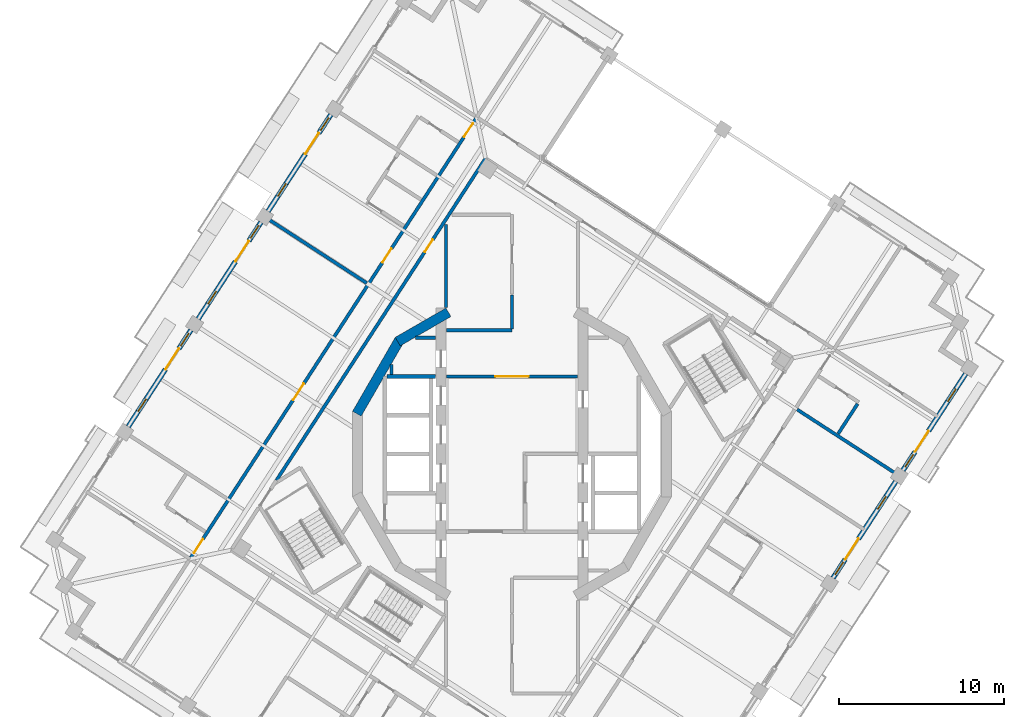
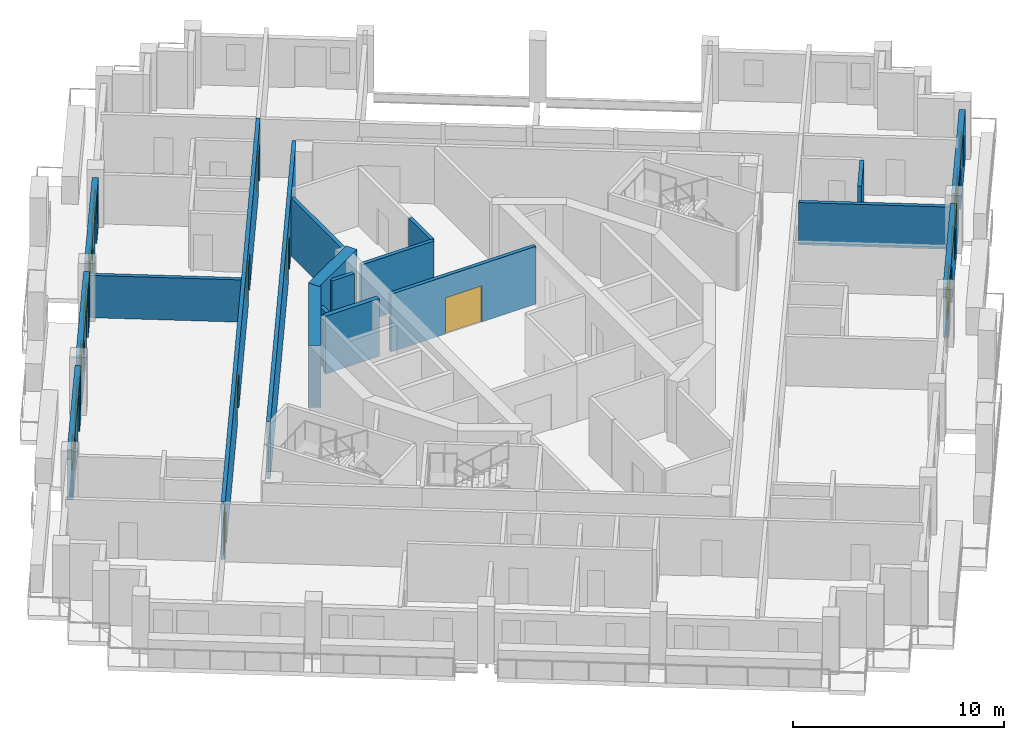
# One storey, part 9 of 17: 19 walls, 11 doors, 10 windows, 21 openings.
"""IFC4 building model written with IfcOpenShell, lengths in metres."""

from ifc_helpers import new_model, si_unit, direction, frame, frame_2d, origin, place, context, subcontext, project, spatial, rectangle, extrude, material, layer, layer_set, type_object, element, fill, save


model = new_model("IFC4")

# Units and contexts
model_context = context("Model", 3, precision=1e-05, world=origin(), true_north=direction((0.0, 1.0)))
body_context = subcontext(model_context, "Body", "Model", "MODEL_VIEW")
ifc_project = project(units=[si_unit("LENGTHUNIT", "METRE"), si_unit("AREAUNIT", "SQUARE_METRE"), si_unit("VOLUMEUNIT", "CUBIC_METRE"), si_unit("PLANEANGLEUNIT", "RADIAN"), si_unit("MASSUNIT", "GRAM", prefix="KILO")], contexts=[model_context])

# Site, building, storey
site_placement = place(None, origin())
site = spatial("IfcSite", under=ifc_project, at=site_placement, CompositionType="ELEMENT")
building_placement = place(site_placement, origin())
building = spatial("IfcBuilding", under=site, at=building_placement, Name="Cantera Rosa Tower", CompositionType="ELEMENT")
storey_placement = place(building_placement, frame((0.0, 0.0, 279.300048828125)))
storey = spatial("IfcBuildingStorey", under=building, at=storey_placement, Name="L63", CompositionType="ELEMENT", Elevation=279.300048828125)

# Wall, opening, door
ifc_material_1 = material(Name="Gypsum board partition")
ifc_layer_1 = layer(ifc_material_1, 0.199951171875)
ifc_layer_set_1 = layer_set([ifc_layer_1], Name="CORRIDOR WALL 200 H3350")
wall_type_1 = type_object("IfcWallType", Name="CORRIDOR WALL 200 H3350", PredefinedType="PARTITIONING", material=ifc_layer_set_1)
wall_1_placement = place(storey_placement, frame((-3.969970703125, 4.699951171875, 0.0), z_axis=(0.0, 0.0, 1.0), x_axis=(1.0, 0.0, 0.0)))
wall_1 = element("IfcWall", 1, at=wall_1_placement, inside=storey, type_object=wall_type_1, Name="CORRIDOR WALL L63-045", PredefinedType="PARTITIONING", context=body_context, shape_type="SweptSolid", body=[
    extrude(rectangle(XDim=7.93994140625, YDim=0.199951171875, at=frame_2d((3.969970703125, 0.0))), origin(), (0.0, 0.0, 1.0), 3.349853515625),
])
opening_1_placement = place(wall_1_placement, frame((2.969970703125, 0.0, 0.0)))
opening_1 = element("IfcOpeningElement", 2, at=opening_1_placement, cuts=wall_1, Name="Opening L63-009", PredefinedType="OPENING", context=body_context, shape_type="SweptSolid", body=[
    extrude(rectangle(XDim=2.0, YDim=2.10009765625, at=frame_2d((1.0, 1.050048828125))), frame((0.0, 0.10986328125, 0.0), z_axis=(0.0, -1.0, 0.0), x_axis=(1.0, 0.0, 0.0)), (0.0, 0.0, 1.0), 0.219970703125),
])
ifc_material_2 = material(Name="Steel S355J2 (EN 10025-2)", Category="steel")
door_type_1 = type_object("IfcDoorType", Name="LOBBY SCREEN DOOR 2000x2100", OperationType="NOTDEFINED", PredefinedType="DOOR", material=ifc_material_2)
door_1_placement = place(opening_1_placement, origin())
door_1 = element("IfcDoor", 3, at=door_1_placement, inside=storey, type_object=door_type_1, Name="DOOR L63-009", OperationType="NOTDEFINED", OverallHeight=2.10009765625, OverallWidth=2.0, PredefinedType="DOOR", context=body_context, shape_type="SweptSolid", body=[
    extrude(rectangle(XDim=2.0, YDim=2.10009765625, at=frame_2d((1.0, 1.050048828125))), frame((0.0, 0.02490234375, 0.0), z_axis=(0.0, -1.0, 0.0), x_axis=(1.0, 0.0, 0.0)), (0.0, 0.0, 1.0), 0.050048828125),
])
fill(opening_1, door_1)

# Wall
wall_2_placement = place(storey_placement, frame((-3.969970703125, 7.5, 0.0), z_axis=(0.0, 0.0, 1.0), x_axis=(1.0, 0.0, 0.0)))
element("IfcWall", 4, at=wall_2_placement, inside=storey, type_object=wall_type_1, Name="CORRIDOR WALL L63-046", PredefinedType="PARTITIONING", context=body_context, shape_type="SweptSolid", body=[
    extrude(rectangle(XDim=3.969970703125, YDim=0.199951171875, at=frame_2d((1.98486328125, 0.0))), origin(), (0.0, 0.0, 1.0), 3.349853515625),
])

# Wall, openings, doors
wall_3_placement = place(storey_placement, frame((-2.1318359375, 20.402587890625, 0.0), z_axis=(0.0, 0.0, 1.0), x_axis=(-0.544641000227, -0.838669291719, 0.0)))
wall_3 = element("IfcWall", 5, at=wall_3_placement, inside=storey, type_object=wall_type_1, Name="CORRIDOR WALL L63-049", PredefinedType="PARTITIONING", context=body_context, shape_type="SweptSolid", body=[
    extrude(rectangle(XDim=31.800048828125, YDim=0.199951171875, at=frame_2d((15.89990234375, 0.0))), origin(), (0.0, 0.0, 1.0), 3.349853515625),
])
opening_2_placement = place(wall_3_placement, frame((19.239990234375, 0.0, 0.0)))
opening_2 = element("IfcOpeningElement", 6, at=opening_2_placement, cuts=wall_3, Name="Opening L63-022", PredefinedType="OPENING", context=body_context, shape_type="SweptSolid", body=[
    extrude(rectangle(XDim=1.199951171875, YDim=2.10009765625, at=frame_2d((0.60009765625, 1.050048828125))), frame((0.0, 0.10986328125, 0.0), z_axis=(0.0, -1.0, 0.0), x_axis=(1.0, 0.0, 0.0)), (0.0, 0.0, 1.0), 0.219970703125),
])
opening_3_placement = place(wall_3_placement, frame((9.4951171875, 0.0, 0.0)))
opening_3 = element("IfcOpeningElement", 7, at=opening_3_placement, cuts=wall_3, Name="Opening L63-023", PredefinedType="OPENING", context=body_context, shape_type="SweptSolid", body=[
    extrude(rectangle(XDim=1.0, YDim=2.10009765625, at=frame_2d((0.5, 1.050048828125))), frame((0.0, 0.10986328125, 0.0), z_axis=(0.0, -1.0, 0.0), x_axis=(1.0, 0.0, 0.0)), (0.0, 0.0, 1.0), 0.219970703125),
])
opening_4_placement = place(wall_3_placement, frame((0.43994140625, 0.0, 0.0)))
opening_4 = element("IfcOpeningElement", 8, at=opening_4_placement, cuts=wall_3, Name="Opening L63-026", PredefinedType="OPENING", context=body_context, shape_type="SweptSolid", body=[
    extrude(rectangle(XDim=1.0, YDim=2.10009765625, at=frame_2d((0.5, 1.050048828125))), frame((0.0, 0.10986328125, 0.0), z_axis=(0.0, -1.0, 0.0), x_axis=(1.0, 0.0, 0.0)), (0.0, 0.0, 1.0), 0.219970703125),
])
opening_5_placement = place(wall_3_placement, frame((30.4599609375, 0.0, 0.0)))
opening_5 = element("IfcOpeningElement", 9, at=opening_5_placement, cuts=wall_3, Name="Opening L63-029", PredefinedType="OPENING", context=body_context, shape_type="SweptSolid", body=[
    extrude(rectangle(XDim=1.0, YDim=2.10009765625, at=frame_2d((0.5, 1.050048828125))), frame((0.0, 0.10986328125, 0.0), z_axis=(0.0, -1.0, 0.0), x_axis=(1.0, 0.0, 0.0)), (0.0, 0.0, 1.0), 0.219970703125),
])
ifc_material_3 = material(Name="Timber door leaf", Category="wood")
door_type_2 = type_object("IfcDoorType", Name="ENTRANCE DOOR 1000x2100", OperationType="NOTDEFINED", PredefinedType="DOOR", material=ifc_material_3)
door_2_placement = place(opening_3_placement, origin())
door_2 = element("IfcDoor", 10, at=door_2_placement, inside=storey, type_object=door_type_2, Name="DOOR L63-023", OperationType="NOTDEFINED", OverallHeight=2.10009765625, OverallWidth=1.0, PredefinedType="DOOR", context=body_context, shape_type="SweptSolid", body=[
    extrude(rectangle(XDim=1.0, YDim=2.10009765625, at=frame_2d((0.5, 1.050048828125))), frame((0.0, 0.02490234375, 0.0), z_axis=(0.0, -1.0, 0.0), x_axis=(1.0, 0.0, 0.0)), (0.0, 0.0, 1.0), 0.050048828125),
])
fill(opening_3, door_2)
door_3_placement = place(opening_4_placement, origin())
door_3 = element("IfcDoor", 11, at=door_3_placement, inside=storey, type_object=door_type_2, Name="DOOR L63-026", OperationType="NOTDEFINED", OverallHeight=2.10009765625, OverallWidth=1.0, PredefinedType="DOOR", context=body_context, shape_type="SweptSolid", body=[
    extrude(rectangle(XDim=1.0, YDim=2.10009765625, at=frame_2d((0.5, 1.050048828125))), frame((0.0, 0.02490234375, 0.0), z_axis=(0.0, -1.0, 0.0), x_axis=(1.0, 0.0, 0.0)), (0.0, 0.0, 1.0), 0.050048828125),
])
fill(opening_4, door_3)
door_4_placement = place(opening_5_placement, origin())
door_4 = element("IfcDoor", 12, at=door_4_placement, inside=storey, type_object=door_type_2, Name="DOOR L63-029", OperationType="NOTDEFINED", OverallHeight=2.10009765625, OverallWidth=1.0, PredefinedType="DOOR", context=body_context, shape_type="SweptSolid", body=[
    extrude(rectangle(XDim=1.0, YDim=2.10009765625, at=frame_2d((0.5, 1.050048828125))), frame((0.0, 0.02490234375, 0.0), z_axis=(0.0, -1.0, 0.0), x_axis=(1.0, 0.0, 0.0)), (0.0, 0.0, 1.0), 0.050048828125),
])
fill(opening_5, door_4)
ifc_material_4 = material(Name="Timber door leaf", Category="wood")
door_type_3 = type_object("IfcDoorType", Name="ROOM DOOR 1200x2100", OperationType="NOTDEFINED", PredefinedType="DOOR", material=ifc_material_4)
door_5_placement = place(opening_2_placement, origin())
door_5 = element("IfcDoor", 13, at=door_5_placement, inside=storey, type_object=door_type_3, Name="DOOR L63-022", OperationType="NOTDEFINED", OverallHeight=2.10009765625, OverallWidth=1.199951171875, PredefinedType="DOOR", context=body_context, shape_type="SweptSolid", body=[
    extrude(rectangle(XDim=1.199951171875, YDim=2.10009765625, at=frame_2d((0.60009765625, 1.050048828125))), frame((0.0, 0.02490234375, 0.0), z_axis=(0.0, -1.0, 0.0), x_axis=(1.0, 0.0, 0.0)), (0.0, 0.0, 1.0), 0.050048828125),
])
fill(opening_2, door_5)

# Wall, opening, door
wall_4_placement = place(storey_placement, frame((-1.6025390625, 17.91259765625, 0.0), z_axis=(0.0, 0.0, 1.0), x_axis=(-0.544642173362, -0.838668529871, 0.0)))
wall_4 = element("IfcWall", 14, at=wall_4_placement, inside=storey, type_object=wall_type_1, Name="CORRIDOR WALL L63-053", PredefinedType="PARTITIONING", context=body_context, shape_type="SweptSolid", body=[
    extrude(rectangle(XDim=23.255126953125, YDim=0.199951171875, at=frame_2d((11.62744140625, 0.0))), origin(), (0.0, 0.0, 1.0), 3.349853515625),
])
opening_6_placement = place(wall_4_placement, frame((5.8623046875, 0.0, 0.0)))
opening_6 = element("IfcOpeningElement", 15, at=opening_6_placement, cuts=wall_4, Name="Opening L63-004", PredefinedType="OPENING", context=body_context, shape_type="SweptSolid", body=[
    extrude(rectangle(XDim=0.89990234375, YDim=2.10009765625, at=frame_2d((0.449951171875, 1.050048828125))), frame((0.0, 0.10986328125, 0.0), z_axis=(0.0, -1.0, 0.0), x_axis=(1.0, 0.0, 0.0)), (0.0, 0.0, 1.0), 0.219970703125),
])
ifc_material_5 = material(Name="Timber door leaf", Category="wood")
door_type_4 = type_object("IfcDoorType", Name="SERVICE DOOR 900x2100", OperationType="NOTDEFINED", PredefinedType="DOOR", material=ifc_material_5)
door_6_placement = place(opening_6_placement, origin())
door_6 = element("IfcDoor", 16, at=door_6_placement, inside=storey, type_object=door_type_4, Name="DOOR L63-004", OperationType="NOTDEFINED", OverallHeight=2.10009765625, OverallWidth=0.89990234375, PredefinedType="DOOR", context=body_context, shape_type="SweptSolid", body=[
    extrude(rectangle(XDim=0.89990234375, YDim=2.10009765625, at=frame_2d((0.449951171875, 1.050048828125))), frame((0.0, 0.02490234375, 0.0), z_axis=(0.0, -1.0, 0.0), x_axis=(1.0, 0.0, 0.0)), (0.0, 0.0, 1.0), 0.050048828125),
])
fill(opening_6, door_6)

# Wall
wall_5_placement = place(storey_placement, frame((0.0, 7.580078125, 0.0), z_axis=(0.0, 0.0, 1.0), x_axis=(0.0, 1.0, 0.0)))
element("IfcWall", 17, at=wall_5_placement, inside=storey, type_object=wall_type_1, Name="CORRIDOR WALL L63-057", PredefinedType="PARTITIONING", context=body_context, shape_type="SweptSolid", body=[
    extrude(rectangle(XDim=2.04931640625, YDim=0.199951171875, at=frame_2d((1.024658203125, 0.0))), origin(), (0.0, 0.0, 1.0), 3.349853515625),
])

# Wall, openings, windows, door
ifc_material_6 = material(Name="Hollow clay masonry with cantera stone cladding", Category="masonry")
ifc_layer_2 = layer(ifc_material_6, 0.300048828125)
ifc_layer_set_2 = layer_set([ifc_layer_2], Name="EW-LOGGIA 300 H2890")
wall_type_2 = type_object("IfcWallType", Name="EW-LOGGIA 300 H2890", PredefinedType="SOLIDWALL", material=ifc_layer_set_2)
wall_6_placement = place(storey_placement, frame((-10.970703125, 20.5625, 0.0), z_axis=(0.0, 0.0, 1.0), x_axis=(-0.544651451949, -0.838662504164, 0.0)))
wall_6 = element("IfcWall", 18, at=wall_6_placement, inside=storey, type_object=wall_type_2, Name="EN-L63-W08", PredefinedType="SOLIDWALL", context=body_context, shape_type="SweptSolid", body=[
    extrude(rectangle(XDim=6.980224609375, YDim=0.300048828125, at=frame_2d((3.490234375, 0.0))), origin(), (0.0, 0.0, 1.0), 2.889892578125),
])
opening_7_placement = place(wall_6_placement, frame((0.2451171875, 0.0, 0.89990234375)))
opening_7 = element("IfcOpeningElement", 19, at=opening_7_placement, cuts=wall_6, Name="Opening L63-W10", PredefinedType="OPENING", context=body_context, shape_type="SweptSolid", body=[
    extrude(rectangle(XDim=0.89990234375, YDim=1.5, at=frame_2d((0.449951171875, 0.75))), frame((0.0, 0.159912109375, 0.0), z_axis=(0.0, -1.0, 0.0), x_axis=(1.0, 0.0, 0.0)), (0.0, 0.0, 1.0), 0.320068359375),
])
opening_8_placement = place(wall_6_placement, frame((1.344970703125, 0.0, 0.0)))
opening_8 = element("IfcOpeningElement", 20, at=opening_8_placement, cuts=wall_6, Name="Opening L63-TD11", PredefinedType="OPENING", context=body_context, shape_type="SweptSolid", body=[
    extrude(rectangle(XDim=1.5, YDim=2.39990234375, at=frame_2d((0.75, 1.199951171875))), frame((0.0, 0.159912109375, 0.0), z_axis=(0.0, -1.0, 0.0), x_axis=(1.0, 0.0, 0.0)), (0.0, 0.0, 1.0), 0.320068359375),
])
opening_9_placement = place(wall_6_placement, frame((4.985107421875, 0.0, 0.89990234375)))
opening_9 = element("IfcOpeningElement", 21, at=opening_9_placement, cuts=wall_6, Name="Opening L63-W12", PredefinedType="OPENING", context=body_context, shape_type="SweptSolid", body=[
    extrude(rectangle(XDim=0.89990234375, YDim=1.5, at=frame_2d((0.449951171875, 0.75))), frame((0.0, 0.159912109375, 0.0), z_axis=(0.0, -1.0, 0.0), x_axis=(1.0, 0.0, 0.0)), (0.0, 0.0, 1.0), 0.320068359375),
])
ifc_material_7 = material(Name="Aluminium frame with clear glass", Category="aluminium")
window_type = type_object("IfcWindowType", Name="Residential window 900x1500", PartitioningType="SINGLE_PANEL", PredefinedType="WINDOW", material=ifc_material_7)
window_1_placement = place(opening_7_placement, origin())
window_1 = element("IfcWindow", 22, at=window_1_placement, inside=storey, type_object=window_type, Name="WINDOW L63-W10", OverallHeight=1.5, OverallWidth=0.89990234375, PartitioningType="SINGLE_PANEL", PredefinedType="WINDOW", context=body_context, shape_type="SweptSolid", body=[
    extrude(rectangle(XDim=0.89990234375, YDim=1.5, at=frame_2d((0.449951171875, 0.75))), frame((0.0, 0.030029296875, 0.0), z_axis=(0.0, -1.0, 0.0), x_axis=(1.0, 0.0, 0.0)), (0.0, 0.0, 1.0), 0.06005859375),
])
fill(opening_7, window_1)
window_2_placement = place(opening_9_placement, origin())
window_2 = element("IfcWindow", 23, at=window_2_placement, inside=storey, type_object=window_type, Name="WINDOW L63-W12", OverallHeight=1.5, OverallWidth=0.89990234375, PartitioningType="SINGLE_PANEL", PredefinedType="WINDOW", context=body_context, shape_type="SweptSolid", body=[
    extrude(rectangle(XDim=0.89990234375, YDim=1.5, at=frame_2d((0.449951171875, 0.75))), frame((0.0, 0.030029296875, 0.0), z_axis=(0.0, -1.0, 0.0), x_axis=(1.0, 0.0, 0.0)), (0.0, 0.0, 1.0), 0.06005859375),
])
fill(opening_9, window_2)
ifc_material_8 = material(Name="Aluminium frame with clear glass", Category="aluminium")
door_type_5 = type_object("IfcDoorType", Name="TD-R 1500x2400", OperationType="NOTDEFINED", PredefinedType="DOOR", material=ifc_material_8)
door_7_placement = place(opening_8_placement, origin())
door_7 = element("IfcDoor", 24, at=door_7_placement, inside=storey, type_object=door_type_5, Name="LOGGIA DOOR L63-TD11", OperationType="SLIDING_TO_LEFT", OverallHeight=2.39990234375, OverallWidth=1.5, PredefinedType="DOOR", context=body_context, shape_type="SweptSolid", body=[
    extrude(rectangle(XDim=1.5, YDim=2.39990234375, at=frame_2d((0.75, 1.199951171875))), frame((0.0, 0.02490234375, 0.0), z_axis=(0.0, -1.0, 0.0), x_axis=(1.0, 0.0, 0.0)), (0.0, 0.0, 1.0), 0.050048828125),
])
fill(opening_8, door_7)

wall_7_placement = place(storey_placement, frame((-15.2080078125, 14.03759765625, 0.0), z_axis=(0.0, 0.0, 1.0), x_axis=(-0.544651451949, -0.838662504164, 0.0)))
wall_7 = element("IfcWall", 25, at=wall_7_placement, inside=storey, type_object=wall_type_2, Name="EN-L63-W09", PredefinedType="SOLIDWALL", context=body_context, shape_type="SweptSolid", body=[
    extrude(rectangle(XDim=6.980224609375, YDim=0.300048828125, at=frame_2d((3.490234375, 0.0))), origin(), (0.0, 0.0, 1.0), 2.889892578125),
])
opening_10_placement = place(wall_7_placement, frame((0.2451171875, 0.0, 0.89990234375)))
opening_10 = element("IfcOpeningElement", 26, at=opening_10_placement, cuts=wall_7, Name="Opening L63-W13", PredefinedType="OPENING", context=body_context, shape_type="SweptSolid", body=[
    extrude(rectangle(XDim=0.89990234375, YDim=1.5, at=frame_2d((0.449951171875, 0.75))), frame((0.0, 0.159912109375, 0.0), z_axis=(0.0, -1.0, 0.0), x_axis=(1.0, 0.0, 0.0)), (0.0, 0.0, 1.0), 0.320068359375),
])
opening_11_placement = place(wall_7_placement, frame((1.344970703125, 0.0, 0.0)))
opening_11 = element("IfcOpeningElement", 27, at=opening_11_placement, cuts=wall_7, Name="Opening L63-TD14", PredefinedType="OPENING", context=body_context, shape_type="SweptSolid", body=[
    extrude(rectangle(XDim=1.5, YDim=2.39990234375, at=frame_2d((0.75, 1.199951171875))), frame((0.0, 0.159912109375, 0.0), z_axis=(0.0, -1.0, 0.0), x_axis=(1.0, 0.0, 0.0)), (0.0, 0.0, 1.0), 0.320068359375),
])
opening_12_placement = place(wall_7_placement, frame((4.985107421875, 0.0, 0.89990234375)))
opening_12 = element("IfcOpeningElement", 28, at=opening_12_placement, cuts=wall_7, Name="Opening L63-W15", PredefinedType="OPENING", context=body_context, shape_type="SweptSolid", body=[
    extrude(rectangle(XDim=0.89990234375, YDim=1.5, at=frame_2d((0.449951171875, 0.75))), frame((0.0, 0.159912109375, 0.0), z_axis=(0.0, -1.0, 0.0), x_axis=(1.0, 0.0, 0.0)), (0.0, 0.0, 1.0), 0.320068359375),
])
window_3_placement = place(opening_10_placement, origin())
window_3 = element("IfcWindow", 29, at=window_3_placement, inside=storey, type_object=window_type, Name="WINDOW L63-W13", OverallHeight=1.5, OverallWidth=0.89990234375, PartitioningType="SINGLE_PANEL", PredefinedType="WINDOW", context=body_context, shape_type="SweptSolid", body=[
    extrude(rectangle(XDim=0.89990234375, YDim=1.5, at=frame_2d((0.449951171875, 0.75))), frame((0.0, 0.030029296875, 0.0), z_axis=(0.0, -1.0, 0.0), x_axis=(1.0, 0.0, 0.0)), (0.0, 0.0, 1.0), 0.06005859375),
])
fill(opening_10, window_3)
window_4_placement = place(opening_12_placement, origin())
window_4 = element("IfcWindow", 30, at=window_4_placement, inside=storey, type_object=window_type, Name="WINDOW L63-W15", OverallHeight=1.5, OverallWidth=0.89990234375, PartitioningType="SINGLE_PANEL", PredefinedType="WINDOW", context=body_context, shape_type="SweptSolid", body=[
    extrude(rectangle(XDim=0.89990234375, YDim=1.5, at=frame_2d((0.449951171875, 0.75))), frame((0.0, 0.030029296875, 0.0), z_axis=(0.0, -1.0, 0.0), x_axis=(1.0, 0.0, 0.0)), (0.0, 0.0, 1.0), 0.06005859375),
])
fill(opening_12, window_4)
door_8_placement = place(opening_11_placement, origin())
door_8 = element("IfcDoor", 31, at=door_8_placement, inside=storey, type_object=door_type_5, Name="LOGGIA DOOR L63-TD14", OperationType="SLIDING_TO_LEFT", OverallHeight=2.39990234375, OverallWidth=1.5, PredefinedType="DOOR", context=body_context, shape_type="SweptSolid", body=[
    extrude(rectangle(XDim=1.5, YDim=2.39990234375, at=frame_2d((0.75, 1.199951171875))), frame((0.0, 0.02490234375, 0.0), z_axis=(0.0, -1.0, 0.0), x_axis=(1.0, 0.0, 0.0)), (0.0, 0.0, 1.0), 0.050048828125),
])
fill(opening_11, door_8)

wall_8_placement = place(storey_placement, frame((-19.4453125, 7.5126953125, 0.0), z_axis=(0.0, 0.0, 1.0), x_axis=(-0.544667428764, -0.838652128146, 0.0)))
wall_8 = element("IfcWall", 32, at=wall_8_placement, inside=storey, type_object=wall_type_2, Name="EN-L63-W10", PredefinedType="SOLIDWALL", context=body_context, shape_type="SweptSolid", body=[
    extrude(rectangle(XDim=6.97998046875, YDim=0.300048828125, at=frame_2d((3.489990234375, 0.0))), origin(), (0.0, 0.0, 1.0), 2.889892578125),
])
opening_13_placement = place(wall_8_placement, frame((0.2451171875, 0.0, 0.89990234375)))
opening_13 = element("IfcOpeningElement", 33, at=opening_13_placement, cuts=wall_8, Name="Opening L63-W16", PredefinedType="OPENING", context=body_context, shape_type="SweptSolid", body=[
    extrude(rectangle(XDim=0.89990234375, YDim=1.5, at=frame_2d((0.449951171875, 0.75))), frame((0.0, 0.159912109375, 0.0), z_axis=(0.0, -1.0, 0.0), x_axis=(1.0, 0.0, 0.0)), (0.0, 0.0, 1.0), 0.320068359375),
])
opening_14_placement = place(wall_8_placement, frame((1.344970703125, 0.0, 0.0)))
opening_14 = element("IfcOpeningElement", 34, at=opening_14_placement, cuts=wall_8, Name="Opening L63-TD17", PredefinedType="OPENING", context=body_context, shape_type="SweptSolid", body=[
    extrude(rectangle(XDim=1.5, YDim=2.39990234375, at=frame_2d((0.75, 1.199951171875))), frame((0.0, 0.159912109375, 0.0), z_axis=(0.0, -1.0, 0.0), x_axis=(1.0, 0.0, 0.0)), (0.0, 0.0, 1.0), 0.320068359375),
])
opening_15_placement = place(wall_8_placement, frame((4.985107421875, 0.0, 0.89990234375)))
opening_15 = element("IfcOpeningElement", 35, at=opening_15_placement, cuts=wall_8, Name="Opening L63-W18", PredefinedType="OPENING", context=body_context, shape_type="SweptSolid", body=[
    extrude(rectangle(XDim=0.89990234375, YDim=1.5, at=frame_2d((0.449951171875, 0.75))), frame((0.0, 0.159912109375, 0.0), z_axis=(0.0, -1.0, 0.0), x_axis=(1.0, 0.0, 0.0)), (0.0, 0.0, 1.0), 0.320068359375),
])
window_5_placement = place(opening_13_placement, origin())
window_5 = element("IfcWindow", 36, at=window_5_placement, inside=storey, type_object=window_type, Name="WINDOW L63-W16", OverallHeight=1.5, OverallWidth=0.89990234375, PartitioningType="SINGLE_PANEL", PredefinedType="WINDOW", context=body_context, shape_type="SweptSolid", body=[
    extrude(rectangle(XDim=0.89990234375, YDim=1.5, at=frame_2d((0.449951171875, 0.75))), frame((0.0, 0.030029296875, 0.0), z_axis=(0.0, -1.0, 0.0), x_axis=(1.0, 0.0, 0.0)), (0.0, 0.0, 1.0), 0.06005859375),
])
fill(opening_13, window_5)
window_6_placement = place(opening_15_placement, origin())
window_6 = element("IfcWindow", 37, at=window_6_placement, inside=storey, type_object=window_type, Name="WINDOW L63-W18", OverallHeight=1.5, OverallWidth=0.89990234375, PartitioningType="SINGLE_PANEL", PredefinedType="WINDOW", context=body_context, shape_type="SweptSolid", body=[
    extrude(rectangle(XDim=0.89990234375, YDim=1.5, at=frame_2d((0.449951171875, 0.75))), frame((0.0, 0.030029296875, 0.0), z_axis=(0.0, -1.0, 0.0), x_axis=(1.0, 0.0, 0.0)), (0.0, 0.0, 1.0), 0.06005859375),
])
fill(opening_15, window_6)
door_9_placement = place(opening_14_placement, origin())
door_9 = element("IfcDoor", 38, at=door_9_placement, inside=storey, type_object=door_type_5, Name="LOGGIA DOOR L63-TD17", OperationType="SLIDING_TO_LEFT", OverallHeight=2.39990234375, OverallWidth=1.5, PredefinedType="DOOR", context=body_context, shape_type="SweptSolid", body=[
    extrude(rectangle(XDim=1.5, YDim=2.39990234375, at=frame_2d((0.75, 1.199951171875))), frame((0.0, 0.02490234375, 0.0), z_axis=(0.0, -1.0, 0.0), x_axis=(1.0, 0.0, 0.0)), (0.0, 0.0, 1.0), 0.050048828125),
])
fill(opening_14, door_9)

wall_9_placement = place(storey_placement, frame((19.4453125, -7.5126953125, 0.0), z_axis=(0.0, 0.0, 1.0), x_axis=(0.544667428764, 0.838652128146, 0.0)))
wall_9 = element("IfcWall", 39, at=wall_9_placement, inside=storey, type_object=wall_type_2, Name="EN-L63-W23", PredefinedType="SOLIDWALL", context=body_context, shape_type="SweptSolid", body=[
    extrude(rectangle(XDim=6.97998046875, YDim=0.300048828125, at=frame_2d((3.489990234375, 0.0))), origin(), (0.0, 0.0, 1.0), 2.889892578125),
])
opening_16_placement = place(wall_9_placement, frame((0.2451171875, 0.0, 0.89990234375)))
opening_16 = element("IfcOpeningElement", 40, at=opening_16_placement, cuts=wall_9, Name="Opening L63-W43", PredefinedType="OPENING", context=body_context, shape_type="SweptSolid", body=[
    extrude(rectangle(XDim=0.89990234375, YDim=1.5, at=frame_2d((0.449951171875, 0.75))), frame((0.0, 0.159912109375, 0.0), z_axis=(0.0, -1.0, 0.0), x_axis=(1.0, 0.0, 0.0)), (0.0, 0.0, 1.0), 0.320068359375),
])
opening_17_placement = place(wall_9_placement, frame((1.344970703125, 0.0, 0.0)))
opening_17 = element("IfcOpeningElement", 41, at=opening_17_placement, cuts=wall_9, Name="Opening L63-TD44", PredefinedType="OPENING", context=body_context, shape_type="SweptSolid", body=[
    extrude(rectangle(XDim=1.5, YDim=2.39990234375, at=frame_2d((0.75, 1.199951171875))), frame((0.0, 0.159912109375, 0.0), z_axis=(0.0, -1.0, 0.0), x_axis=(1.0, 0.0, 0.0)), (0.0, 0.0, 1.0), 0.320068359375),
])
opening_18_placement = place(wall_9_placement, frame((4.985107421875, 0.0, 0.89990234375)))
opening_18 = element("IfcOpeningElement", 42, at=opening_18_placement, cuts=wall_9, Name="Opening L63-W45", PredefinedType="OPENING", context=body_context, shape_type="SweptSolid", body=[
    extrude(rectangle(XDim=0.89990234375, YDim=1.5, at=frame_2d((0.449951171875, 0.75))), frame((0.0, 0.159912109375, 0.0), z_axis=(0.0, -1.0, 0.0), x_axis=(1.0, 0.0, 0.0)), (0.0, 0.0, 1.0), 0.320068359375),
])
window_7_placement = place(opening_16_placement, origin())
window_7 = element("IfcWindow", 43, at=window_7_placement, inside=storey, type_object=window_type, Name="WINDOW L63-W43", OverallHeight=1.5, OverallWidth=0.89990234375, PartitioningType="SINGLE_PANEL", PredefinedType="WINDOW", context=body_context, shape_type="SweptSolid", body=[
    extrude(rectangle(XDim=0.89990234375, YDim=1.5, at=frame_2d((0.449951171875, 0.75))), frame((0.0, 0.030029296875, 0.0), z_axis=(0.0, -1.0, 0.0), x_axis=(1.0, 0.0, 0.0)), (0.0, 0.0, 1.0), 0.06005859375),
])
fill(opening_16, window_7)
window_8_placement = place(opening_18_placement, origin())
window_8 = element("IfcWindow", 44, at=window_8_placement, inside=storey, type_object=window_type, Name="WINDOW L63-W45", OverallHeight=1.5, OverallWidth=0.89990234375, PartitioningType="SINGLE_PANEL", PredefinedType="WINDOW", context=body_context, shape_type="SweptSolid", body=[
    extrude(rectangle(XDim=0.89990234375, YDim=1.5, at=frame_2d((0.449951171875, 0.75))), frame((0.0, 0.030029296875, 0.0), z_axis=(0.0, -1.0, 0.0), x_axis=(1.0, 0.0, 0.0)), (0.0, 0.0, 1.0), 0.06005859375),
])
fill(opening_18, window_8)
door_10_placement = place(opening_17_placement, origin())
door_10 = element("IfcDoor", 45, at=door_10_placement, inside=storey, type_object=door_type_5, Name="LOGGIA DOOR L63-TD44", OperationType="SLIDING_TO_LEFT", OverallHeight=2.39990234375, OverallWidth=1.5, PredefinedType="DOOR", context=body_context, shape_type="SweptSolid", body=[
    extrude(rectangle(XDim=1.5, YDim=2.39990234375, at=frame_2d((0.75, 1.199951171875))), frame((0.0, 0.02490234375, 0.0), z_axis=(0.0, -1.0, 0.0), x_axis=(1.0, 0.0, 0.0)), (0.0, 0.0, 1.0), 0.050048828125),
])
fill(opening_17, door_10)

wall_10_placement = place(storey_placement, frame((23.6826171875, -0.98779296875, 0.0), z_axis=(0.0, 0.0, 1.0), x_axis=(0.544667428764, 0.838652128146, 0.0)))
wall_10 = element("IfcWall", 46, at=wall_10_placement, inside=storey, type_object=wall_type_2, Name="EN-L63-W24", PredefinedType="SOLIDWALL", context=body_context, shape_type="SweptSolid", body=[
    extrude(rectangle(XDim=6.97998046875, YDim=0.300048828125, at=frame_2d((3.489990234375, 0.0))), origin(), (0.0, 0.0, 1.0), 2.889892578125),
])
opening_19_placement = place(wall_10_placement, frame((0.2451171875, 0.0, 0.89990234375)))
opening_19 = element("IfcOpeningElement", 47, at=opening_19_placement, cuts=wall_10, Name="Opening L63-W46", PredefinedType="OPENING", context=body_context, shape_type="SweptSolid", body=[
    extrude(rectangle(XDim=0.89990234375, YDim=1.5, at=frame_2d((0.449951171875, 0.75))), frame((0.0, 0.159912109375, 0.0), z_axis=(0.0, -1.0, 0.0), x_axis=(1.0, 0.0, 0.0)), (0.0, 0.0, 1.0), 0.320068359375),
])
opening_20_placement = place(wall_10_placement, frame((1.344970703125, 0.0, 0.0)))
opening_20 = element("IfcOpeningElement", 48, at=opening_20_placement, cuts=wall_10, Name="Opening L63-TD47", PredefinedType="OPENING", context=body_context, shape_type="SweptSolid", body=[
    extrude(rectangle(XDim=1.5, YDim=2.39990234375, at=frame_2d((0.75, 1.199951171875))), frame((0.0, 0.159912109375, 0.0), z_axis=(0.0, -1.0, 0.0), x_axis=(1.0, 0.0, 0.0)), (0.0, 0.0, 1.0), 0.320068359375),
])
opening_21_placement = place(wall_10_placement, frame((4.985107421875, 0.0, 0.89990234375)))
opening_21 = element("IfcOpeningElement", 49, at=opening_21_placement, cuts=wall_10, Name="Opening L63-W48", PredefinedType="OPENING", context=body_context, shape_type="SweptSolid", body=[
    extrude(rectangle(XDim=0.89990234375, YDim=1.5, at=frame_2d((0.449951171875, 0.75))), frame((0.0, 0.159912109375, 0.0), z_axis=(0.0, -1.0, 0.0), x_axis=(1.0, 0.0, 0.0)), (0.0, 0.0, 1.0), 0.320068359375),
])
window_9_placement = place(opening_19_placement, origin())
window_9 = element("IfcWindow", 50, at=window_9_placement, inside=storey, type_object=window_type, Name="WINDOW L63-W46", OverallHeight=1.5, OverallWidth=0.89990234375, PartitioningType="SINGLE_PANEL", PredefinedType="WINDOW", context=body_context, shape_type="SweptSolid", body=[
    extrude(rectangle(XDim=0.89990234375, YDim=1.5, at=frame_2d((0.449951171875, 0.75))), frame((0.0, 0.030029296875, 0.0), z_axis=(0.0, -1.0, 0.0), x_axis=(1.0, 0.0, 0.0)), (0.0, 0.0, 1.0), 0.06005859375),
])
fill(opening_19, window_9)
window_10_placement = place(opening_21_placement, origin())
window_10 = element("IfcWindow", 51, at=window_10_placement, inside=storey, type_object=window_type, Name="WINDOW L63-W48", OverallHeight=1.5, OverallWidth=0.89990234375, PartitioningType="SINGLE_PANEL", PredefinedType="WINDOW", context=body_context, shape_type="SweptSolid", body=[
    extrude(rectangle(XDim=0.89990234375, YDim=1.5, at=frame_2d((0.449951171875, 0.75))), frame((0.0, 0.030029296875, 0.0), z_axis=(0.0, -1.0, 0.0), x_axis=(1.0, 0.0, 0.0)), (0.0, 0.0, 1.0), 0.06005859375),
])
fill(opening_21, window_10)
door_11_placement = place(opening_20_placement, origin())
door_11 = element("IfcDoor", 52, at=door_11_placement, inside=storey, type_object=door_type_5, Name="LOGGIA DOOR L63-TD47", OperationType="SLIDING_TO_LEFT", OverallHeight=2.39990234375, OverallWidth=1.5, PredefinedType="DOOR", context=body_context, shape_type="SweptSolid", body=[
    extrude(rectangle(XDim=1.5, YDim=2.39990234375, at=frame_2d((0.75, 1.199951171875))), frame((0.0, 0.02490234375, 0.0), z_axis=(0.0, -1.0, 0.0), x_axis=(1.0, 0.0, 0.0)), (0.0, 0.0, 1.0), 0.050048828125),
])
fill(opening_20, door_11)

# Walls
ifc_material_9 = material(Name="Gypsum board partition")
ifc_layer_3 = layer(ifc_material_9, 0.199951171875)
ifc_layer_set_3 = layer_set([ifc_layer_3], Name="PARTITION 200 H3350")
wall_type_3 = type_object("IfcWallType", Name="PARTITION 200 H3350", PredefinedType="PARTITIONING", material=ifc_layer_set_3)
wall_11_placement = place(storey_placement, frame((-7.300048828125, 4.824951171875, 0.0), z_axis=(0.0, 0.0, 1.0), x_axis=(0.0, 1.0, 0.0)))
element("IfcWall", 53, at=wall_11_placement, inside=storey, type_object=wall_type_3, Name="PARTITION L63-031", PredefinedType="PARTITIONING", context=body_context, shape_type="SweptSolid", body=[
    extrude(rectangle(XDim=0.589599609375, YDim=0.199951171875, at=frame_2d((0.294921875, 0.0))), origin(), (0.0, 0.0, 1.0), 3.349853515625),
])
wall_12_placement = place(storey_placement, frame((-5.84765625, 7.050048828125, 0.0), z_axis=(0.0, 0.0, 1.0), x_axis=(1.0, 0.0, 0.0)))
element("IfcWall", 54, at=wall_12_placement, inside=storey, type_object=wall_type_3, Name="PARTITION L63-035", PredefinedType="PARTITIONING", context=body_context, shape_type="SweptSolid", body=[
    extrude(rectangle(XDim=1.2177734375, YDim=0.199951171875, at=frame_2d((0.60888671875, 0.0))), origin(), (0.0, 0.0, 1.0), 3.349853515625),
])
wall_13_placement = place(storey_placement, frame((-4.0, 13.90087890625, 0.0), z_axis=(0.0, 0.0, 1.0), x_axis=(0.0, -1.0, 0.0)))
element("IfcWall", 55, at=wall_13_placement, inside=storey, type_object=wall_type_3, Name="PARTITION L63-044", PredefinedType="PARTITIONING", context=body_context, shape_type="SweptSolid", body=[
    extrude(rectangle(XDim=5.02197265625, YDim=0.199951171875, at=frame_2d((2.510986328125, 0.0))), origin(), (0.0, 0.0, 1.0), 3.349853515625),
])
wall_14_placement = place(storey_placement, frame((20.9326171875, 3.039794921875, 0.0), z_axis=(0.0, 0.0, 1.0), x_axis=(-0.544670488944, -0.838650140686, 0.0)))
element("IfcWall", 56, at=wall_14_placement, inside=storey, type_object=wall_type_3, Name="PARTITION L63-108", PredefinedType="PARTITIONING", context=body_context, shape_type="SweptSolid", body=[
    extrude(rectangle(XDim=2.16015625, YDim=0.199951171875, at=frame_2d((1.080078125, 0.0))), origin(), (0.0, 0.0, 1.0), 3.349853515625),
])
ifc_material_10 = material(Name="Gypsum board partition")
ifc_layer_4 = layer(ifc_material_10, 0.199951171875)
ifc_layer_set_4 = layer_set([ifc_layer_4], Name="PARTY WALL 200 H2450")
wall_type_4 = type_object("IfcWallType", Name="PARTY WALL 200 H2450", PredefinedType="PARTITIONING", material=ifc_layer_set_4)
wall_15_placement = place(storey_placement, frame((-8.80078125, 10.353515625, 0.0), z_axis=(0.0, 0.0, 1.0), x_axis=(-0.838668934217, 0.544641550729, 0.0)))
element("IfcWall", 57, at=wall_15_placement, inside=storey, type_object=wall_type_4, Name="PARTY WALL L63-023", PredefinedType="PARTITIONING", context=body_context, shape_type="SweptSolid", body=[
    extrude(rectangle(XDim=7.35009765625, YDim=0.199951171875, at=frame_2d((3.675048828125, 0.0))), origin(), (0.0, 0.0, 1.0), 2.449951171875),
])
wall_16_placement = place(storey_placement, frame((17.275390625, 2.696044921875, 0.0), z_axis=(0.0, 0.0, 1.0), x_axis=(0.838684106336, -0.544618187155, 0.0)))
element("IfcWall", 58, at=wall_16_placement, inside=storey, type_object=wall_type_4, Name="PARTY WALL L63-101", PredefinedType="PARTITIONING", context=body_context, shape_type="SweptSolid", body=[
    extrude(rectangle(XDim=7.349853515625, YDim=0.199951171875, at=frame_2d((3.6748046875, 0.0))), origin(), (0.0, 0.0, 1.0), 2.449951171875),
])
ifc_material_11 = material(Name="Concrete C50/60", Category="concrete")
ifc_layer_5 = layer(ifc_material_11, 0.60009765625)
ifc_layer_set_5 = layer_set([ifc_layer_5], Name="RC CORE WALL 600 C50/60")
wall_type_5 = type_object("IfcWallType", Name="RC CORE WALL 600 C50/60", PredefinedType="SHEAR", material=ifc_layer_set_5)
wall_17_placement = place(storey_placement, frame((-9.3994140625, 2.438232421875, 0.0), z_axis=(0.0, 0.0, 1.0), x_axis=(0.499989188378, 0.866031645787, 0.0)))
element("IfcWall", 59, at=wall_17_placement, inside=storey, type_object=wall_type_5, Name="CW-W4 L63", PredefinedType="SHEAR", context=body_context, shape_type="SweptSolid", body=[
    extrude(rectangle(XDim=5.17626953125, YDim=0.60009765625, at=frame_2d((2.588134765625, 0.0))), origin(), (0.0, 0.0, 1.0), 3.599853515625),
])
wall_18_placement = place(storey_placement, frame((-6.921142578125, 6.811279296875, 0.0), z_axis=(0.0, 0.0, 1.0), x_axis=(0.866039982607, 0.499974747889, 0.0)))
element("IfcWall", 60, at=wall_18_placement, inside=storey, type_object=wall_type_5, Name="CW-W5 L63", PredefinedType="SHEAR", context=body_context, shape_type="SweptSolid", body=[
    extrude(rectangle(XDim=3.546142578125, YDim=0.60009765625, at=frame_2d((1.77294921875, 0.0))), origin(), (0.0, 0.0, 1.0), 3.599853515625),
])
ifc_material_12 = material(Name="Masonry blockwork", Category="masonry")
ifc_layer_6 = layer(ifc_material_12, 0.25)
ifc_layer_set_6 = layer_set([ifc_layer_6], Name="SHAFT WALL 250 H3350")
wall_type_6 = type_object("IfcWallType", Name="SHAFT WALL 250 H3350", PredefinedType="SOLIDWALL", material=ifc_layer_set_6)
wall_19_placement = place(storey_placement, frame((-7.580078125, 4.699951171875, 0.0), z_axis=(0.0, 0.0, 1.0), x_axis=(1.0, 0.0, 0.0)))
element("IfcWall", 61, at=wall_19_placement, inside=storey, type_object=wall_type_6, Name="SHAFT WALL L63-030", PredefinedType="SOLIDWALL", context=body_context, shape_type="SweptSolid", body=[
    extrude(rectangle(XDim=2.9501953125, YDim=0.25, at=frame_2d((1.47509765625, 0.0))), origin(), (0.0, 0.0, 1.0), 3.349853515625),
])

save(model, "model.ifc")
